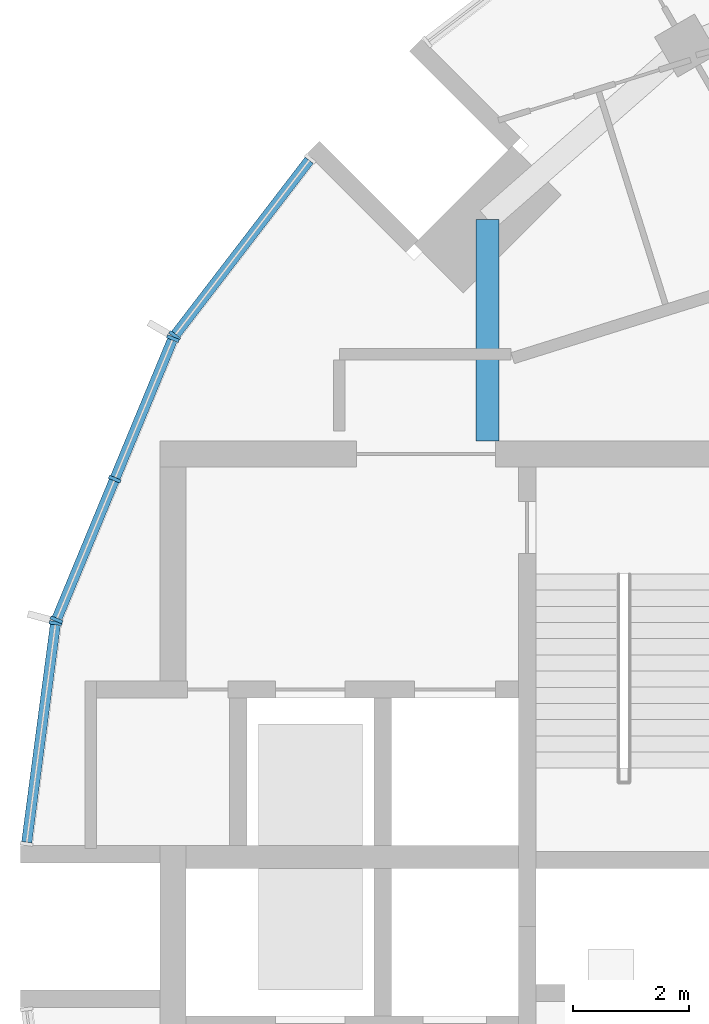
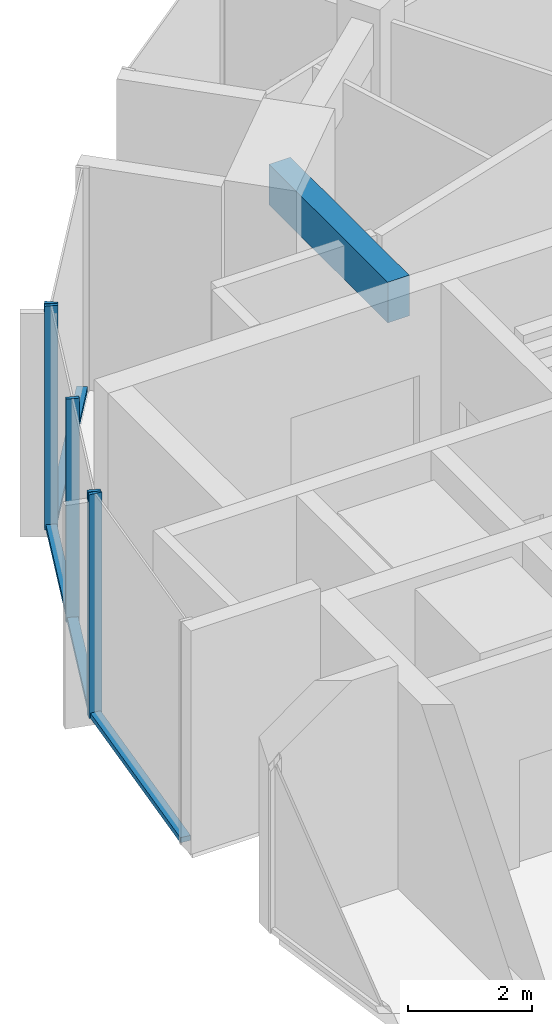
# One storey, part 3 of 13: 9 members, 1 beam, 3 elements without a shape of their own.
"""IFC4 building model written with IfcOpenShell, lengths in metres."""

from ifc_helpers import new_model, si_unit, direction, frame, origin, origin_2d, place, context, subcontext, project, spatial, rectangle, extrude, material, layer, layer_set, material_profile, profile_set, type_object, element, aggregate, save


model = new_model("IFC4")

# Units and contexts
model_context = context("Model", 3, precision=1e-05, world=origin(), true_north=direction((0.0, 1.0)))
body_context = subcontext(model_context, "Body", "Model", "MODEL_VIEW")
ifc_project = project(units=[si_unit("LENGTHUNIT", "METRE"), si_unit("AREAUNIT", "SQUARE_METRE"), si_unit("VOLUMEUNIT", "CUBIC_METRE"), si_unit("PLANEANGLEUNIT", "RADIAN"), si_unit("MASSUNIT", "GRAM", prefix="KILO")], contexts=[model_context])

# Site, building, storey
site_placement = place(None, origin())
site = spatial("IfcSite", under=ifc_project, at=site_placement, CompositionType="ELEMENT")
building_placement = place(site_placement, origin())
building = spatial("IfcBuilding", under=site, at=building_placement, Name="Torre Brocal", CompositionType="ELEMENT")
storey_placement = place(building_placement, frame((0.0, 0.0, 319.300048828125)))
storey = spatial("IfcBuildingStorey", under=building, at=storey_placement, Name="L73", CompositionType="ELEMENT", Elevation=319.300048828125)

# Curtain wall, member
ifc_material_1 = material(Name="Aluminium and glass", Category="aluminium")
ifc_layer = layer(ifc_material_1, 0.199951171875)
ifc_layer_set = layer_set([ifc_layer], Name="Aluminium and glass")
curtain_wall_type = type_object("IfcCurtainWallType", Name="CW-5 CURTAIN WALL 4400 HIGH", PredefinedType="NOTDEFINED", material=ifc_layer_set)
curtain_wall_1_placement = place(storey_placement, origin())
curtain_wall_1 = element("IfcCurtainWall", 1, at=curtain_wall_1_placement, inside=storey, type_object=curtain_wall_type, Name="CW-5 RUN 10", PredefinedType="NOTDEFINED")
ifc_material_2 = material(Name="Aluminium, dark anodised", Category="aluminium")
ifc_material_profile_1 = material_profile(ifc_material_2, rectangle(XDim=0.219970703125, YDim=0.06005859375, at=origin_2d()), Name="CW-5 MULLION 60X220")
ifc_profile_set_1 = profile_set([ifc_material_profile_1], Name="Aluminium, dark anodised")
member_type_1 = type_object("IfcMemberType", Name="CW-5 MULLION 60X220", PredefinedType="MULLION", material=ifc_profile_set_1)
member_1_placement = place(storey_placement, frame((62.35205078125, 85.223388671875, 0.0), z_axis=(0.0, 0.0, 1.0), x_axis=(0.793353340376, -0.608761428898, 0.0)))
member_1 = element("IfcMember", 2, at=member_1_placement, type_object=member_type_1, Name="CW5-1 mullion 2", PredefinedType="MULLION", context=body_context, shape_type="SweptSolid", body=[
    extrude(rectangle(XDim=0.219970703125, YDim=0.06005859375, at=origin_2d()), origin(), (0.0, 0.0, 1.0), 4.39990234375),
])

# Curtain wall, members
curtain_wall_2_placement = place(storey_placement, origin())
curtain_wall_2 = element("IfcCurtainWall", 3, at=curtain_wall_2_placement, inside=storey, type_object=curtain_wall_type, Name="CW-5 RUN 11", PredefinedType="NOTDEFINED")
member_2_placement = place(storey_placement, frame((62.322265625, 85.171875, 0.0), z_axis=(0.0, 0.0, 1.0), x_axis=(0.923879532478, -0.382683432446, 0.0)))
member_2 = element("IfcMember", 4, at=member_2_placement, type_object=member_type_1, Name="CW5-1 mullion 1", PredefinedType="MULLION", context=body_context, shape_type="SweptSolid", body=[
    extrude(rectangle(XDim=0.219970703125, YDim=0.06005859375, at=origin_2d()), origin(), (0.0, 0.0, 1.0), 4.39990234375),
])
member_3_placement = place(storey_placement, frame((61.31494140625, 82.73974609375, 0.0), z_axis=(0.0, 0.0, 1.0), x_axis=(0.923879532478, -0.382683432446, 0.0)))
member_3 = element("IfcMember", 5, at=member_3_placement, type_object=member_type_1, Name="CW5-1 mullion 2", PredefinedType="MULLION", context=body_context, shape_type="SweptSolid", body=[
    extrude(rectangle(XDim=0.219970703125, YDim=0.06005859375, at=origin_2d()), origin(), (0.0, 0.0, 1.0), 4.39990234375),
])
member_4_placement = place(storey_placement, frame((60.307373046875, 80.307373046875, 0.0), z_axis=(0.0, 0.0, 1.0), x_axis=(0.923879532478, -0.382683432446, 0.0)))
member_4 = element("IfcMember", 6, at=member_4_placement, type_object=member_type_1, Name="CW5-1 mullion 3", PredefinedType="MULLION", context=body_context, shape_type="SweptSolid", body=[
    extrude(rectangle(XDim=0.219970703125, YDim=0.06005859375, at=origin_2d()), origin(), (0.0, 0.0, 1.0), 4.39990234375),
])

# Curtain wall, member
curtain_wall_3_placement = place(storey_placement, origin())
curtain_wall_3 = element("IfcCurtainWall", 7, at=curtain_wall_3_placement, inside=storey, type_object=curtain_wall_type, Name="CW-5 RUN 12", PredefinedType="NOTDEFINED")
member_5_placement = place(storey_placement, frame((60.2919921875, 80.25, 0.0), z_axis=(0.0, 0.0, 1.0), x_axis=(0.991444861394, -0.130526192064, 0.0)))
member_5 = element("IfcMember", 8, at=member_5_placement, type_object=member_type_1, Name="CW5-1 mullion 1", PredefinedType="MULLION", context=body_context, shape_type="SweptSolid", body=[
    extrude(rectangle(XDim=0.219970703125, YDim=0.06005859375, at=origin_2d()), origin(), (0.0, 0.0, 1.0), 4.39990234375),
])

# Member
ifc_material_3 = material(Name="Aluminium, dark anodised", Category="aluminium")
ifc_material_profile_2 = material_profile(ifc_material_3, rectangle(XDim=0.179931640625, YDim=0.10009765625, at=origin_2d()), Name="CW-5 TRANSOM 180X100")
ifc_profile_set_2 = profile_set([ifc_material_profile_2], Name="Aluminium, dark anodised")
member_type_2 = type_object("IfcMemberType", Name="CW-5 TRANSOM 180X100", PredefinedType="USERDEFINED", material=ifc_profile_set_2)
member_6_placement = place(storey_placement, frame((64.679443359375, 88.256591796875, 0.050048828125), z_axis=(-0.60872740935, -0.793379443335, 0.0), x_axis=(0.793379443335, -0.60872740935, 0.0)))
member_6 = element("IfcMember", 9, at=member_6_placement, type_object=member_type_2, Name="CW5-1 transom 1.1", ObjectType="TRANSOM", PredefinedType="USERDEFINED", context=body_context, shape_type="SweptSolid", body=[
    extrude(rectangle(XDim=0.179931640625, YDim=0.10009765625, at=origin_2d()), origin(), (0.0, 0.0, 1.0), 3.793212890625),
])

aggregate(curtain_wall_1, [member_1, member_6])

member_7_placement = place(storey_placement, frame((62.310791015625, 85.14404296875, 0.050048828125), z_axis=(-0.382653538633, -0.923891914334, 0.0), x_axis=(0.923891914334, -0.382653538633, 0.0)))
member_7 = element("IfcMember", 10, at=member_7_placement, type_object=member_type_2, Name="CW5-1 transom 1.1", ObjectType="TRANSOM", PredefinedType="USERDEFINED", context=body_context, shape_type="SweptSolid", body=[
    extrude(rectangle(XDim=0.179931640625, YDim=0.10009765625, at=origin_2d()), origin(), (0.0, 0.0, 1.0), 2.572509765625),
])

member_8_placement = place(storey_placement, frame((61.303466796875, 82.7119140625, 0.050048828125), z_axis=(-0.382734542152, -0.923858360488, 0.0), x_axis=(0.923858360488, -0.382734542152, 0.0)))
member_8 = element("IfcMember", 11, at=member_8_placement, type_object=member_type_2, Name="CW5-1 transom 2.1", ObjectType="TRANSOM", PredefinedType="USERDEFINED", context=body_context, shape_type="SweptSolid", body=[
    extrude(rectangle(XDim=0.179931640625, YDim=0.10009765625, at=origin_2d()), origin(), (0.0, 0.0, 1.0), 2.572509765625),
])

aggregate(curtain_wall_2, [member_2, member_3, member_4, member_7, member_8])

member_9_placement = place(storey_placement, frame((60.2880859375, 80.22021484375, 0.050048828125), z_axis=(-0.130527769268, -0.99144465375, 0.0), x_axis=(0.99144465375, -0.130527769268, 0.0)))
member_9 = element("IfcMember", 12, at=member_9_placement, type_object=member_type_2, Name="CW5-1 transom 1.1", ObjectType="TRANSOM", PredefinedType="USERDEFINED", context=body_context, shape_type="SweptSolid", body=[
    extrude(rectangle(XDim=0.179931640625, YDim=0.10009765625, at=origin_2d()), origin(), (0.0, 0.0, 1.0), 3.793212890625),
])

aggregate(curtain_wall_3, [member_5, member_9])

# Beam
ifc_material_4 = material(Name="Concrete C50", Category="concrete")
ifc_material_profile_3 = material_profile(ifc_material_4, rectangle(XDim=0.39990234375, YDim=0.800048828125, at=origin_2d()), Name="RC 400X800")
ifc_profile_set_3 = profile_set([ifc_material_profile_3], Name="Concrete C50")
beam_type = type_object("IfcBeamType", Name="RC SPANDREL BEAM 400X800 C50 TOP 4080", PredefinedType="SPANDREL", material=ifc_profile_set_3)
beam_placement = place(storey_placement, frame((67.76708984375, 87.23291015625, 3.679931640625), z_axis=(0.0, -1.0, 0.0), x_axis=(1.0, 0.0, 0.0)))
element("IfcBeam", 13, at=beam_placement, inside=storey, type_object=beam_type, Name="Beam BT-50", PredefinedType="SPANDREL", context=body_context, shape_type="SweptSolid", body=[
    extrude(rectangle(XDim=0.39990234375, YDim=0.800048828125, at=origin_2d()), origin(), (0.0, 0.0, 1.0), 3.8330078125),
])

save(model, "model.ifc")
